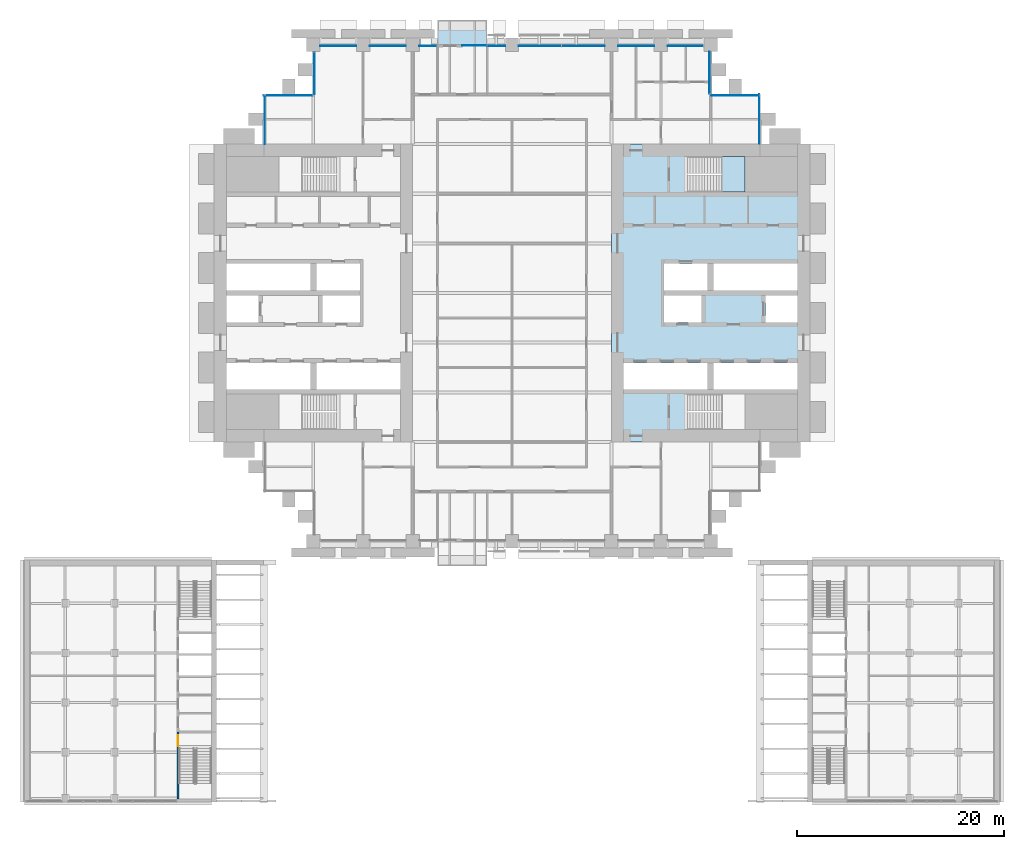
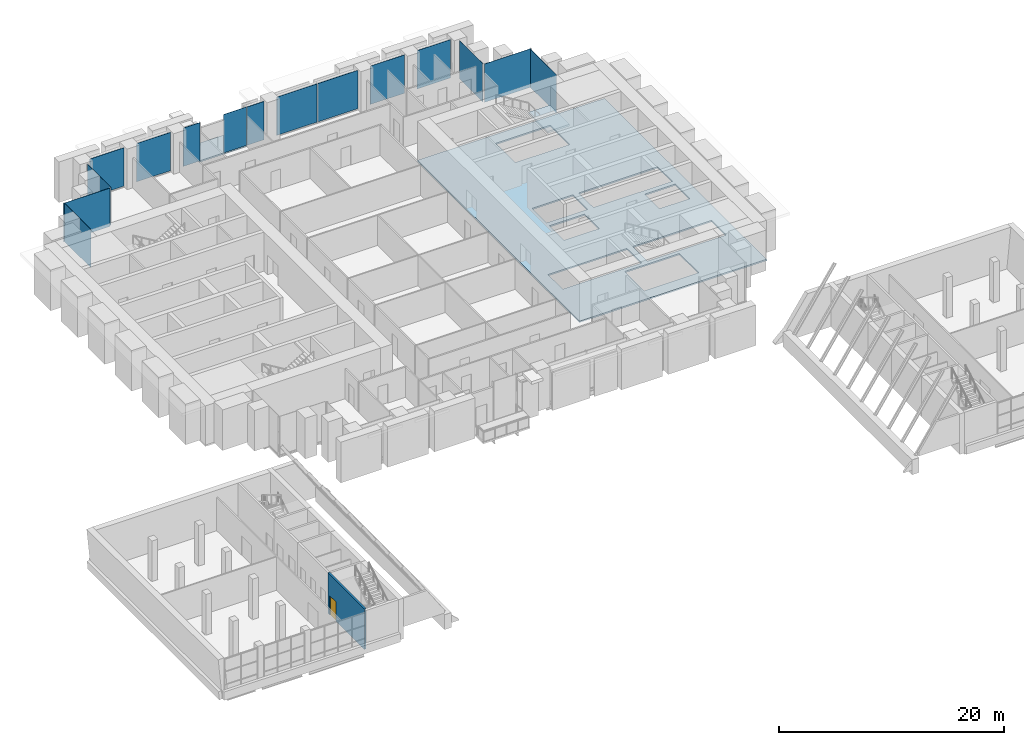
# One storey, part 21 of 32: 15 plates, 3 slabs, 1 door, 1 wall, 1 opening, 10 elements without a shape of their own.
"""IFC4 building model written with IfcOpenShell, lengths in metres."""

from ifc_helpers import new_model, si_unit, direction, frame, frame_2d, origin, origin_2d, place, context, subcontext, project, spatial, polyline, rectangle, outline, extrude, material, layer, layer_set, type_object, element, fill, aggregate, save


model = new_model("IFC4")

# Units and contexts
model_context = context("Model", 3, precision=1e-05, world=origin(), true_north=direction((0.0, 1.0)))
body_context = subcontext(model_context, "Body", "Model", "MODEL_VIEW")
ifc_project = project(units=[si_unit("LENGTHUNIT", "METRE"), si_unit("AREAUNIT", "SQUARE_METRE"), si_unit("VOLUMEUNIT", "CUBIC_METRE"), si_unit("PLANEANGLEUNIT", "RADIAN"), si_unit("MASSUNIT", "GRAM", prefix="KILO")], contexts=[model_context])

# Site, building, storey
site_placement = place(None, origin())
site = spatial("IfcSite", under=ifc_project, at=site_placement, CompositionType="ELEMENT")
building_placement = place(site_placement, origin())
building = spatial("IfcBuilding", under=site, at=building_placement, Name="Baori Bourse Tower", CompositionType="ELEMENT")
storey_placement = place(building_placement, frame((0.0, 0.0, 21.39990234375)))
storey = spatial("IfcBuildingStorey", under=building, at=storey_placement, Name="L03", CompositionType="ELEMENT", Elevation=21.39990234375)

# Slab
ifc_material_1 = material(Name="Concrete f'c 40 MPa", Category="concrete")
ifc_layer_1 = layer(ifc_material_1, 0.159912109375)
ifc_layer_set_1 = layer_set([ifc_layer_1], Name="BL2 Balcony slab 160")
slab_type_1 = type_object("IfcSlabType", Name="BL2 Balcony slab 160", PredefinedType="FLOOR", material=ifc_layer_set_1)
slab_1_placement = place(storey_placement, frame((0.0, 0.0, -0.159912109375)))
element("IfcSlab", 1, at=slab_1_placement, inside=storey, type_object=slab_type_1, Name="Balcony slab L03 N", PredefinedType="FLOOR", context=body_context, shape_type="SweptSolid", body=[
    extrude(outline(polyline([(21.60009765625, 48.0), (26.39990234375, 48.0), (26.39990234375, 50.39990234375), (21.60009765625, 50.39990234375), (21.60009765625, 48.0)])), origin(), (0.0, 0.0, 1.0), 0.159912109375),
])

# Curtain wall, plates
ifc_material_2 = material(Name="Pale anodised aluminium", Category="aluminium")
curtain_wall_type_1 = type_object("IfcCurtainWallType", Name="CW1 Curtain wall", PredefinedType="NOTDEFINED", material=ifc_material_2)
curtain_wall_1_placement = place(storey_placement, origin())
curtain_wall_1 = element("IfcCurtainWall", 2, at=curtain_wall_1_placement, inside=storey, type_object=curtain_wall_type_1, Name="Curtain wall CW1 L03 4", PredefinedType="NOTDEFINED")
ifc_material_3 = material(Name="Clear glass", Category="glass")
ifc_layer_2 = layer(ifc_material_3, 0.033935546875)
ifc_layer_set_2 = layer_set([ifc_layer_2], Name="CW1 Curtain wall panel")
plate_type_1 = type_object("IfcPlateType", Name="CW1 Curtain wall panel", PredefinedType="CURTAIN_PANEL", material=ifc_layer_set_2)
plate_1_placement = place(storey_placement, frame((45.570068359375, 47.89990234375, 0.080078125), z_axis=(0.0, 0.0, 1.0), x_axis=(-1.0, 0.0, 0.0)))
plate_1 = element("IfcPlate", 3, at=plate_1_placement, type_object=plate_type_1, Name="Curtain wall CW1 panel", PredefinedType="CURTAIN_PANEL", context=body_context, shape_type="SweptSolid", body=[
    extrude(rectangle(XDim=3.43994140625, YDim=0.033935546875, at=origin_2d()), origin(), (0.0, 0.0, 1.0), 4.159912109375),
])
plate_2_placement = place(storey_placement, frame((40.800048828125, 47.89990234375, 0.080078125), z_axis=(0.0, 0.0, 1.0), x_axis=(-1.0, 0.0, 0.0)))
plate_2 = element("IfcPlate", 4, at=plate_2_placement, type_object=plate_type_1, Name="Curtain wall CW1 panel", PredefinedType="CURTAIN_PANEL", context=body_context, shape_type="SweptSolid", body=[
    extrude(rectangle(XDim=3.5, YDim=0.033935546875, at=origin_2d()), origin(), (0.0, 0.0, 1.0), 4.159912109375),
])
plate_3_placement = place(storey_placement, frame((35.68994140625, 47.89990234375, 0.080078125), z_axis=(0.0, 0.0, 1.0), x_axis=(-1.0, 0.0, 0.0)))
plate_3 = element("IfcPlate", 5, at=plate_3_placement, type_object=plate_type_1, Name="Curtain wall CW1 panel", PredefinedType="CURTAIN_PANEL", context=body_context, shape_type="SweptSolid", body=[
    extrude(rectangle(XDim=4.1201171875, YDim=0.033935546875, at=origin_2d()), origin(), (0.0, 0.0, 1.0), 4.159912109375),
])
plate_4_placement = place(storey_placement, frame((31.510009765625, 47.89990234375, 0.080078125), z_axis=(0.0, 0.0, 1.0), x_axis=(-1.0, 0.0, 0.0)))
plate_4 = element("IfcPlate", 6, at=plate_4_placement, type_object=plate_type_1, Name="Curtain wall CW1 panel", PredefinedType="CURTAIN_PANEL", context=body_context, shape_type="SweptSolid", body=[
    extrude(rectangle(XDim=4.1201171875, YDim=0.033935546875, at=origin_2d()), origin(), (0.0, 0.0, 1.0), 4.159912109375),
])
plate_5_placement = place(storey_placement, frame((27.27490234375, 47.89990234375, 0.080078125), z_axis=(0.0, 0.0, 1.0), x_axis=(-1.0, 0.0, 0.0)))
plate_5 = element("IfcPlate", 7, at=plate_5_placement, type_object=plate_type_1, Name="Curtain wall CW1 panel", PredefinedType="CURTAIN_PANEL", context=body_context, shape_type="SweptSolid", body=[
    extrude(rectangle(XDim=1.75, YDim=0.033935546875, at=origin_2d()), origin(), (0.0, 0.0, 1.0), 4.159912109375),
])
aggregate(curtain_wall_1, [plate_1, plate_2, plate_3, plate_4, plate_5])

curtain_wall_2_placement = place(storey_placement, origin())
curtain_wall_2 = element("IfcCurtainWall", 8, at=curtain_wall_2_placement, inside=storey, type_object=curtain_wall_type_1, Name="Curtain wall CW1 L03 6", PredefinedType="NOTDEFINED")
plate_6_placement = place(storey_placement, frame((20.695068359375, 47.89990234375, 0.080078125), z_axis=(0.0, 0.0, 1.0), x_axis=(-1.0, 0.0, 0.0)))
plate_6 = element("IfcPlate", 9, at=plate_6_placement, type_object=plate_type_1, Name="Curtain wall CW1 panel", PredefinedType="CURTAIN_PANEL", context=body_context, shape_type="SweptSolid", body=[
    extrude(rectangle(XDim=1.68994140625, YDim=0.033935546875, at=origin_2d()), origin(), (0.0, 0.0, 1.0), 4.159912109375),
])
plate_7_placement = place(storey_placement, frame((16.800048828125, 47.89990234375, 0.080078125), z_axis=(0.0, 0.0, 1.0), x_axis=(-1.0, 0.0, 0.0)))
plate_7 = element("IfcPlate", 10, at=plate_7_placement, type_object=plate_type_1, Name="Curtain wall CW1 panel", PredefinedType="CURTAIN_PANEL", context=body_context, shape_type="SweptSolid", body=[
    extrude(rectangle(XDim=3.5, YDim=0.033935546875, at=origin_2d()), origin(), (0.0, 0.0, 1.0), 4.159912109375),
])
plate_8_placement = place(storey_placement, frame((12.0, 47.89990234375, 0.080078125), z_axis=(0.0, 0.0, 1.0), x_axis=(-1.0, 0.0, 0.0)))
plate_8 = element("IfcPlate", 11, at=plate_8_placement, type_object=plate_type_1, Name="Curtain wall CW1 panel", PredefinedType="CURTAIN_PANEL", context=body_context, shape_type="SweptSolid", body=[
    extrude(rectangle(XDim=3.5, YDim=0.033935546875, at=origin_2d()), origin(), (0.0, 0.0, 1.0), 4.159912109375),
])
aggregate(curtain_wall_2, [plate_6, plate_7, plate_8])

# Curtain wall, plate
ifc_material_4 = material(Name="Pale anodised aluminium", Category="aluminium")
curtain_wall_type_2 = type_object("IfcCurtainWallType", Name="CW2 Curtain wall", PredefinedType="NOTDEFINED", material=ifc_material_4)
curtain_wall_3_placement = place(storey_placement, origin())
curtain_wall_3 = element("IfcCurtainWall", 12, at=curtain_wall_3_placement, inside=storey, type_object=curtain_wall_type_2, Name="Curtain wall CW2 L03 1", PredefinedType="NOTDEFINED")
ifc_material_5 = material(Name="Clear glass", Category="glass")
ifc_layer_3 = layer(ifc_material_5, 0.030029296875)
ifc_layer_set_3 = layer_set([ifc_layer_3], Name="CW2 Curtain wall panel")
plate_type_2 = type_object("IfcPlateType", Name="CW2 Curtain wall panel", PredefinedType="CURTAIN_PANEL", material=ifc_layer_set_3)
plate_9_placement = place(storey_placement, frame((52.7099609375, 40.827392578125, 0.070068359375), z_axis=(0.0, 0.0, 1.0), x_axis=(0.0, 1.0, 0.0)))
plate_9 = element("IfcPlate", 13, at=plate_9_placement, type_object=plate_type_2, Name="Curtain wall CW2 panel", PredefinedType="CURTAIN_PANEL", context=body_context, shape_type="SweptSolid", body=[
    extrude(rectangle(XDim=4.7451171875, YDim=0.030029296875, at=origin_2d()), origin(), (0.0, 0.0, 1.0), 4.169921875),
])
aggregate(curtain_wall_3, [plate_9])

curtain_wall_4_placement = place(storey_placement, origin())
curtain_wall_4 = element("IfcCurtainWall", 14, at=curtain_wall_4_placement, inside=storey, type_object=curtain_wall_type_2, Name="Curtain wall CW2 L03 2", PredefinedType="NOTDEFINED")
plate_10_placement = place(storey_placement, frame((50.37255859375, 43.110107421875, 0.070068359375), z_axis=(0.0, 0.0, 1.0), x_axis=(-1.0, 0.0, 0.0)))
plate_10 = element("IfcPlate", 15, at=plate_10_placement, type_object=plate_type_2, Name="Curtain wall CW2 panel", PredefinedType="CURTAIN_PANEL", context=body_context, shape_type="SweptSolid", body=[
    extrude(rectangle(XDim=4.7451171875, YDim=0.030029296875, at=origin_2d()), origin(), (0.0, 0.0, 1.0), 4.169921875),
])
aggregate(curtain_wall_4, [plate_10])

curtain_wall_5_placement = place(storey_placement, origin())
curtain_wall_5 = element("IfcCurtainWall", 16, at=curtain_wall_5_placement, inside=storey, type_object=curtain_wall_type_2, Name="Curtain wall CW2 L03 3", PredefinedType="NOTDEFINED")
plate_11_placement = place(storey_placement, frame((47.909912109375, 45.302490234375, 0.070068359375), z_axis=(0.0, 0.0, 1.0), x_axis=(0.0, 1.0, 0.0)))
plate_11 = element("IfcPlate", 17, at=plate_11_placement, type_object=plate_type_2, Name="Curtain wall CW2 panel", PredefinedType="CURTAIN_PANEL", context=body_context, shape_type="SweptSolid", body=[
    extrude(rectangle(XDim=4.094970703125, YDim=0.030029296875, at=origin_2d()), origin(), (0.0, 0.0, 1.0), 4.169921875),
])
aggregate(curtain_wall_5, [plate_11])

curtain_wall_6_placement = place(storey_placement, origin())
curtain_wall_6 = element("IfcCurtainWall", 18, at=curtain_wall_6_placement, inside=storey, type_object=curtain_wall_type_2, Name="Curtain wall CW2 L03 7", PredefinedType="NOTDEFINED")
plate_12_placement = place(storey_placement, frame((9.68994140625, 45.24755859375, 0.070068359375), z_axis=(0.0, 0.0, 1.0), x_axis=(0.0, -1.0, 0.0)))
plate_12 = element("IfcPlate", 19, at=plate_12_placement, type_object=plate_type_2, Name="Curtain wall CW2 panel", PredefinedType="CURTAIN_PANEL", context=body_context, shape_type="SweptSolid", body=[
    extrude(rectangle(XDim=4.094970703125, YDim=0.030029296875, at=origin_2d()), origin(), (0.0, 0.0, 1.0), 4.169921875),
])
aggregate(curtain_wall_6, [plate_12])

curtain_wall_7_placement = place(storey_placement, origin())
curtain_wall_7 = element("IfcCurtainWall", 20, at=curtain_wall_7_placement, inside=storey, type_object=curtain_wall_type_2, Name="Curtain wall CW2 L03 8", PredefinedType="NOTDEFINED")
plate_13_placement = place(storey_placement, frame((7.172607421875, 43.110107421875, 0.070068359375), z_axis=(0.0, 0.0, 1.0), x_axis=(-1.0, 0.0, 0.0)))
plate_13 = element("IfcPlate", 21, at=plate_13_placement, type_object=plate_type_2, Name="Curtain wall CW2 panel", PredefinedType="CURTAIN_PANEL", context=body_context, shape_type="SweptSolid", body=[
    extrude(rectangle(XDim=4.7451171875, YDim=0.030029296875, at=origin_2d()), origin(), (0.0, 0.0, 1.0), 4.169921875),
])
aggregate(curtain_wall_7, [plate_13])

curtain_wall_8_placement = place(storey_placement, origin())
curtain_wall_8 = element("IfcCurtainWall", 22, at=curtain_wall_8_placement, inside=storey, type_object=curtain_wall_type_2, Name="Curtain wall CW2 L03 9", PredefinedType="NOTDEFINED")
plate_14_placement = place(storey_placement, frame((4.889892578125, 40.7724609375, 0.070068359375), z_axis=(0.0, 0.0, 1.0), x_axis=(0.0, -1.0, 0.0)))
plate_14 = element("IfcPlate", 23, at=plate_14_placement, type_object=plate_type_2, Name="Curtain wall CW2 panel", PredefinedType="CURTAIN_PANEL", context=body_context, shape_type="SweptSolid", body=[
    extrude(rectangle(XDim=4.7451171875, YDim=0.030029296875, at=origin_2d()), origin(), (0.0, 0.0, 1.0), 4.169921875),
])
aggregate(curtain_wall_8, [plate_14])

ifc_material_6 = material(Name="Pale anodised aluminium", Category="aluminium")
curtain_wall_type_3 = type_object("IfcCurtainWallType", Name="CW6 Curtain wall", PredefinedType="NOTDEFINED", material=ifc_material_6)
curtain_wall_9_placement = place(storey_placement, origin())
curtain_wall_9 = element("IfcCurtainWall", 24, at=curtain_wall_9_placement, inside=storey, type_object=curtain_wall_type_3, Name="Curtain wall CW6 L03 5", PredefinedType="NOTDEFINED")
ifc_material_7 = material(Name="Clear glass", Category="glass")
ifc_layer_4 = layer(ifc_material_7, 0.028076171875)
ifc_layer_set_4 = layer_set([ifc_layer_4], Name="CW6 Curtain wall panel")
plate_type_3 = type_object("IfcPlateType", Name="CW6 Curtain wall panel", PredefinedType="CURTAIN_PANEL", material=ifc_layer_set_4)
plate_15_placement = place(storey_placement, frame((25.175048828125, 47.925048828125, 0.06494140625), z_axis=(0.0, 0.0, 1.0), x_axis=(-1.0, 0.0, 0.0)))
plate_15 = element("IfcPlate", 25, at=plate_15_placement, type_object=plate_type_3, Name="Curtain wall CW6 panel", PredefinedType="CURTAIN_PANEL", context=body_context, shape_type="SweptSolid", body=[
    extrude(rectangle(XDim=2.35009765625, YDim=0.028076171875, at=origin_2d()), origin(), (0.0, 0.0, 1.0), 4.175048828125),
])
aggregate(curtain_wall_9, [plate_15])

# Slab
ifc_material_8 = material(Name="Concrete f'c 50 MPa", Category="concrete")
ifc_layer_5 = layer(ifc_material_8, 0.159912109375)
ifc_layer_set_5 = layer_set([ifc_layer_5], Name="Core slab 160")
slab_type_2 = type_object("IfcSlabType", Name="Core slab 160", PredefinedType="FLOOR", material=ifc_layer_set_5)
slab_2_placement = place(storey_placement, frame((0.0, 0.0, -0.159912109375)))
element("IfcSlab", 26, at=slab_2_placement, inside=storey, type_object=slab_type_2, Name="Core floor slab E01", PredefinedType="FLOOR", context=body_context, shape_type="SweptSolid", body=[
    extrude(outline(polyline([(38.39990234375, 9.60009765625), (57.60009765625, 9.60009765625), (57.60009765625, 38.39990234375), (38.39990234375, 38.39990234375), (38.39990234375, 9.60009765625)]), holes=[polyline([(48.300048828125, 14.64990234375), (48.300048828125, 17.25), (56.39990234375, 17.25), (56.39990234375, 14.64990234375), (48.300048828125, 14.64990234375)]), polyline([(56.39990234375, 21.14990234375), (53.300048828125, 21.14990234375), (53.300048828125, 23.75), (56.39990234375, 23.75), (56.39990234375, 21.14990234375)]), polyline([(56.39990234375, 26.85009765625), (56.39990234375, 24.25), (48.300048828125, 24.25), (48.300048828125, 26.85009765625), (56.39990234375, 26.85009765625)]), polyline([(45.750732421875, 14.25), (51.35009765625, 14.25), (51.35009765625, 10.800048828125), (45.750732421875, 10.800048828125), (45.750732421875, 14.25)]), polyline([(51.35009765625, 37.199951171875), (51.35009765625, 33.75), (45.750732421875, 33.75), (45.750732421875, 37.199951171875), (51.35009765625, 37.199951171875)]), polyline([(39.60009765625, 17.25), (47.699951171875, 17.25), (47.699951171875, 14.64990234375), (39.60009765625, 14.64990234375), (39.60009765625, 17.25)]), polyline([(43.5, 24.25), (43.5, 26.85009765625), (47.699951171875, 26.85009765625), (47.699951171875, 24.25), (43.5, 24.25)]), polyline([(43.5, 23.75), (47.10009765625, 23.75), (47.10009765625, 21.14990234375), (43.5, 21.14990234375), (43.5, 23.75)])]), origin(), (0.0, 0.0, 1.0), 0.159912109375),
])

# Stair, slab
ifc_material_9 = material(Name="Concrete f'c 50 MPa", Category="concrete")
stair_type = type_object("IfcStairType", Name="Core stair", PredefinedType="HALF_TURN_STAIR", material=ifc_material_9)
stair_placement = place(storey_placement, origin())
stair = element("IfcStair", 27, at=stair_placement, inside=storey, type_object=stair_type, Name="L03 Stair EB", PredefinedType="HALF_TURN_STAIR")
ifc_material_10 = material(Name="Concrete f'c 50 MPa", Category="concrete")
slab_type_3 = type_object("IfcSlabType", Name="Core stair landing", PredefinedType="LANDING", material=ifc_material_10)
slab_3_placement = place(storey_placement, frame((0.0, 0.0, 2.0)))
slab_3 = element("IfcSlab", 28, at=slab_3_placement, type_object=slab_type_3, Name="ST4 landing 1", PredefinedType="LANDING", context=body_context, shape_type="SweptSolid", body=[
    extrude(outline(polyline([(49.110107421875, 33.75), (51.35009765625, 33.75), (51.35009765625, 37.199951171875), (49.110107421875, 37.199951171875), (49.110107421875, 33.75)])), origin(), (0.0, 0.0, 1.0), 0.2001953125),
])
aggregate(stair, [slab_3])

# Wall, opening, door
ifc_material_11 = material(Name="Concrete f'c 50 MPa", Category="concrete")
ifc_layer_6 = layer(ifc_material_11, 0.199951171875)
ifc_layer_set_6 = layer_set([ifc_layer_6], Name="Shaft wall 200")
wall_type = type_object("IfcWallType", Name="Shaft wall 200", PredefinedType="SOLIDWALL", material=ifc_layer_set_6)
wall_placement = place(storey_placement, frame((-3.5, -18.43994140625, 0.0), z_axis=(0.0, 0.0, 1.0), x_axis=(0.0, -1.0, 0.0)))
wall = element("IfcWall", 29, at=wall_placement, inside=storey, type_object=wall_type, Name="wing/L03/WcorrwallE/004", PredefinedType="SOLIDWALL", context=body_context, shape_type="SweptSolid", body=[
    extrude(rectangle(XDim=6.4599609375, YDim=0.199951171875, at=frame_2d((3.22998046875, 0.0))), origin(), (0.0, 0.0, 1.0), 4.400146484375),
])
opening_placement = place(wall_placement, frame((0.300048828125, 0.0, 0.0)))
opening = element("IfcOpeningElement", 30, at=opening_placement, cuts=wall, Name="Opening WGW-L03-02", PredefinedType="OPENING", context=body_context, shape_type="SweptSolid", body=[
    extrude(rectangle(XDim=1.10009765625, YDim=2.10009765625, at=frame_2d((0.550048828125, 1.050048828125))), frame((0.0, 0.10986328125, 0.0), z_axis=(0.0, -1.0, 0.0), x_axis=(1.0, 0.0, 0.0)), (0.0, 0.0, 1.0), 0.219970703125),
])
ifc_material_12 = material(Name="Steel fire door", Category="steel")
door_type = type_object("IfcDoorType", Name="Wing stair door 1100", OperationType="SINGLE_SWING_LEFT", PredefinedType="DOOR", material=ifc_material_12)
door_placement = place(opening_placement, origin())
door = element("IfcDoor", 31, at=door_placement, inside=storey, type_object=door_type, Name="WGW-L03-02", OperationType="SINGLE_SWING_LEFT", OverallHeight=2.10009765625, OverallWidth=1.10009765625, PredefinedType="DOOR", context=body_context, shape_type="SweptSolid", body=[
    extrude(rectangle(XDim=1.10009765625, YDim=2.10009765625, at=frame_2d((0.550048828125, 1.050048828125))), frame((0.0, 0.02490234375, 0.0), z_axis=(0.0, -1.0, 0.0), x_axis=(1.0, 0.0, 0.0)), (0.0, 0.0, 1.0), 0.050048828125),
])
fill(opening, door)

save(model, "model.ifc")
